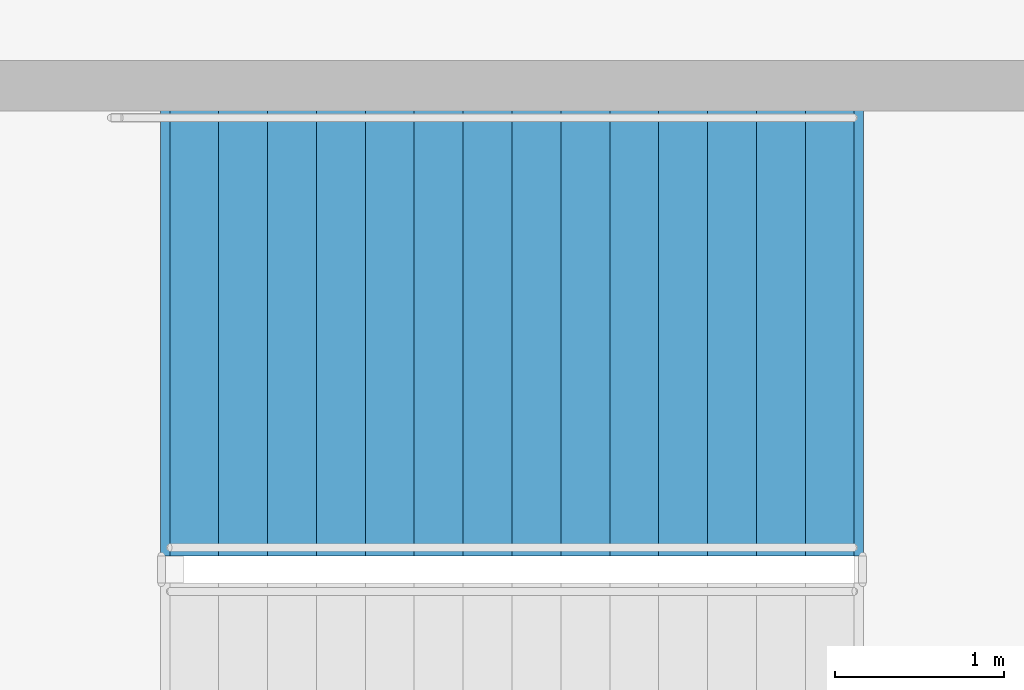
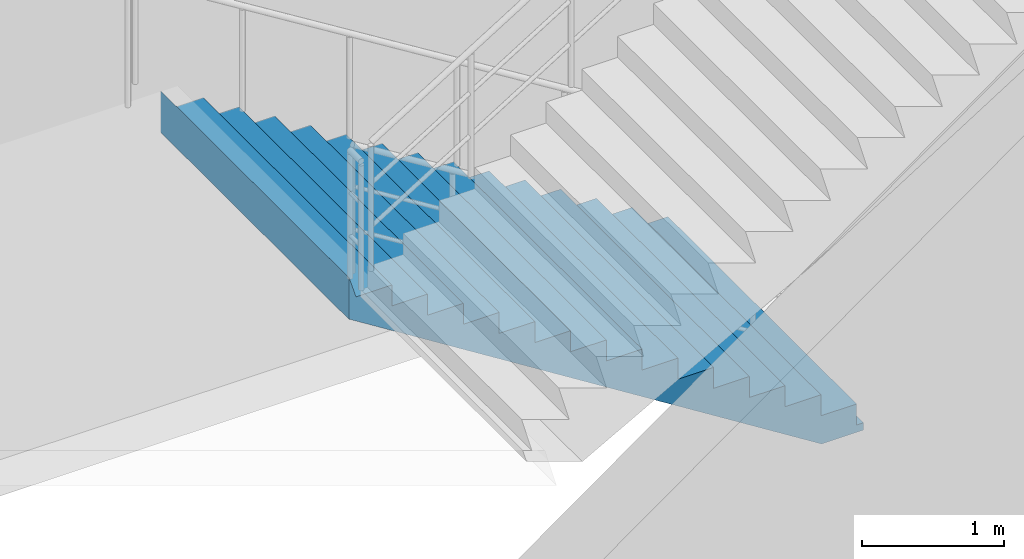
# One storey, part 65 of 93: 1 stair flight, 1 element without a shape of its own.
"""IFC4 building model written with IfcOpenShell, lengths in metres."""

from ifc_helpers import new_model, si_unit, direction, frame, origin, place, context, subcontext, project, spatial, polyline, outline, extrude, material, type_object, element, aggregate, save


model = new_model("IFC4")

# Units and contexts
model_context = context("Model", 3, precision=1e-05, world=origin(), true_north=direction((0.0, 1.0)))
body_context = subcontext(model_context, "Body", "Model", "MODEL_VIEW")
ifc_project = project(units=[si_unit("LENGTHUNIT", "METRE"), si_unit("AREAUNIT", "SQUARE_METRE"), si_unit("VOLUMEUNIT", "CUBIC_METRE"), si_unit("PLANEANGLEUNIT", "RADIAN"), si_unit("MASSUNIT", "GRAM", prefix="KILO")], contexts=[model_context])

# Site, building, storey
site_placement = place(None, origin())
site = spatial("IfcSite", under=ifc_project, at=site_placement, CompositionType="ELEMENT")
building_placement = place(site_placement, origin())
building = spatial("IfcBuilding", under=site, at=building_placement, Name="Cinderbank Siding Concert Hall", CompositionType="ELEMENT")
storey_placement = place(building_placement, origin())
storey = spatial("IfcBuildingStorey", under=building, at=storey_placement, Name="L01", CompositionType="ELEMENT", Elevation=0.0)

# Stair, stair flight
ifc_material = material(Name="Reinforced concrete AS 3600 N50 (50 MPa)", Category="concrete")
stair_type = type_object("IfcStairType", Name="STR-A Dogleg Exit Stair 2650mm", PredefinedType="HALF_TURN_STAIR", material=ifc_material)
stair_placement = place(storey_placement, origin())
stair = element("IfcStair", 1, at=stair_placement, inside=storey, type_object=stair_type, Name="L01 Chamber Pavilion Exit Stair ST-06", PredefinedType="HALF_TURN_STAIR")
stair_flight_type = type_object("IfcStairFlightType", Name="SFL-A Concrete Stair Flight 2650mm", PredefinedType="STRAIGHT", material=ifc_material)
stair_flight_placement = place(storey_placement, frame((16.75, 32.93505859375, 0.0), z_axis=(0.0, 0.0, 1.0), x_axis=(-1.0, 0.0, 0.0)))
stair_flight = element("IfcStairFlight", 2, at=stair_flight_placement, type_object=stair_flight_type, Name="ST-06 flight 1", NumberOfRisers=15, NumberOfTreads=14, PredefinedType="STRAIGHT", RiserHeight=0.18, TreadLength=0.29, context=body_context, shape_type="SweptSolid", body=[
    extrude(outline(polyline([(0.0, 0.0), (0.0, 0.179931640625), (0.2900390625, 0.179931640625), (0.2900390625, 0.360107421875), (0.580078125, 0.360107421875), (0.580078125, 0.5400390625), (0.8701171875, 0.5400390625), (0.8701171875, 0.719970703125), (1.159912109375, 0.719970703125), (1.159912109375, 0.89990234375), (1.449951171875, 0.89990234375), (1.449951171875, 1.080078125), (1.739990234375, 1.080078125), (1.739990234375, 1.260009765625), (2.030029296875, 1.260009765625), (2.030029296875, 1.43994140625), (2.320068359375, 1.43994140625), (2.320068359375, 1.6201171875), (2.610107421875, 1.6201171875), (2.610107421875, 1.800048828125), (2.89990234375, 1.800048828125), (2.89990234375, 1.97998046875), (3.18994140625, 1.97998046875), (3.18994140625, 2.159912109375), (3.47998046875, 2.159912109375), (3.47998046875, 2.340087890625), (3.77001953125, 2.340087890625), (3.77001953125, 2.52001953125), (4.06005859375, 2.52001953125), (4.114990234375, 2.699951171875), (4.114990234375, 2.343505859375), (4.11474609375, 2.34375), (4.11474609375, 2.343994140625), (4.11474609375, 2.34423828125), (4.11474609375, 2.344482421875), (4.11474609375, 2.3447265625), (4.11474609375, 2.344970703125), (4.11474609375, 2.34521484375), (4.11474609375, 2.345458984375), (4.11474609375, 2.345703125), (4.11474609375, 2.345947265625), (4.11474609375, 2.34619140625), (4.11474609375, 2.346435546875), (4.114501953125, 2.346435546875), (4.114501953125, 2.34619140625), (4.114501953125, 2.345947265625), (4.114501953125, 2.345703125), (4.114501953125, 2.345458984375), (4.114501953125, 2.34521484375), (4.114501953125, 2.344970703125), (4.114501953125, 2.3447265625), (4.114501953125, 2.344482421875), (4.114501953125, 2.34423828125), (4.114501953125, 2.343994140625), (4.114501953125, 2.34375), (4.114501953125, 2.343505859375), (4.1142578125, 2.34375), (4.1142578125, 2.343994140625), (4.1142578125, 2.34423828125), (4.1142578125, 2.344482421875), (4.1142578125, 2.3447265625), (4.1142578125, 2.344970703125), (4.1142578125, 2.34521484375), (4.1142578125, 2.345458984375), (4.1142578125, 2.345703125), (4.1142578125, 2.345947265625), (4.1142578125, 2.34619140625), (4.1142578125, 2.346435546875), (4.114013671875, 2.346435546875), (4.114013671875, 2.34619140625), (4.114013671875, 2.345947265625), (4.114013671875, 2.345703125), (4.114013671875, 2.345458984375), (4.114013671875, 2.34521484375), (4.114013671875, 2.344970703125), (4.114013671875, 2.3447265625), (4.114013671875, 2.344482421875), (4.114013671875, 2.34423828125), (4.114013671875, 2.343994140625), (4.114013671875, 2.34375), (4.114013671875, 2.343505859375), (4.11376953125, 2.34375), (4.11376953125, 2.343994140625), (4.11376953125, 2.34423828125), (4.11376953125, 2.344482421875), (4.11376953125, 2.3447265625), (4.11376953125, 2.344970703125), (4.11376953125, 2.34521484375), (4.11376953125, 2.345458984375), (4.11376953125, 2.345703125), (4.11376953125, 2.345947265625), (4.11376953125, 2.34619140625), (4.11376953125, 2.346435546875), (4.113525390625, 2.346435546875), (4.113525390625, 2.34619140625), (4.113525390625, 2.345947265625), (4.113525390625, 2.345703125), (4.113525390625, 2.345458984375), (4.113525390625, 2.34521484375), (4.113525390625, 2.344970703125), (4.113525390625, 2.3447265625), (4.113525390625, 2.344482421875), (4.113525390625, 2.34423828125), (4.113525390625, 2.343994140625), (4.113525390625, 2.34375), (4.113525390625, 2.343505859375), (4.11328125, 2.34375), (4.11328125, 2.343994140625), (4.11328125, 2.34423828125), (4.11328125, 2.344482421875), (4.11328125, 2.3447265625), (4.11328125, 2.344970703125), (4.11328125, 2.34521484375), (4.11328125, 2.345458984375), (4.11328125, 2.345703125), (4.11328125, 2.345947265625), (4.11328125, 2.34619140625), (4.11328125, 2.346435546875), (4.113037109375, 2.346435546875), (4.113037109375, 2.34619140625), (4.113037109375, 2.345947265625), (4.113037109375, 2.345703125), (4.113037109375, 2.345458984375), (4.113037109375, 2.34521484375), (4.113037109375, 2.344970703125), (4.113037109375, 2.3447265625), (4.113037109375, 2.344482421875), (4.113037109375, 2.34423828125), (4.113037109375, 2.343994140625), (4.113037109375, 2.34375), (4.113037109375, 2.343505859375), (4.11279296875, 2.34375), (4.11279296875, 2.343994140625), (4.11279296875, 2.34423828125), (4.11279296875, 2.344482421875), (4.11279296875, 2.3447265625), (4.11279296875, 2.344970703125), (4.11279296875, 2.34521484375), (4.11279296875, 2.345458984375), (4.11279296875, 2.345703125), (4.11279296875, 2.345947265625), (4.11279296875, 2.34619140625), (4.11279296875, 2.346435546875), (4.112548828125, 2.346435546875), (4.112548828125, 2.34619140625), (4.112548828125, 2.345947265625), (4.112548828125, 2.345703125), (4.112548828125, 2.345458984375), (4.112548828125, 2.34521484375), (4.112548828125, 2.344970703125), (4.112548828125, 2.3447265625), (4.112548828125, 2.344482421875), (4.112548828125, 2.34423828125), (4.112548828125, 2.343994140625), (4.112548828125, 2.34375), (4.112548828125, 2.343505859375), (4.1123046875, 2.34375), (4.1123046875, 2.343994140625), (4.1123046875, 2.34423828125), (4.1123046875, 2.344482421875), (4.1123046875, 2.3447265625), (4.1123046875, 2.344970703125), (4.1123046875, 2.34521484375), (4.1123046875, 2.345458984375), (4.1123046875, 2.345703125), (4.1123046875, 2.345947265625), (4.1123046875, 2.34619140625), (4.1123046875, 2.346435546875), (4.112060546875, 2.346435546875), (4.112060546875, 2.34619140625), (4.112060546875, 2.345947265625), (4.112060546875, 2.345703125), (4.112060546875, 2.345458984375), (4.112060546875, 2.34521484375), (4.112060546875, 2.344970703125), (4.112060546875, 2.3447265625), (4.112060546875, 2.344482421875), (4.112060546875, 2.34423828125), (4.112060546875, 2.343994140625), (4.112060546875, 2.34375), (4.112060546875, 2.343505859375), (4.11181640625, 2.34375), (4.11181640625, 2.343994140625), (4.11181640625, 2.34423828125), (4.11181640625, 2.344482421875), (4.11181640625, 2.3447265625), (4.11181640625, 2.344970703125), (4.11181640625, 2.34521484375), (4.11181640625, 2.345458984375), (4.11181640625, 2.345703125), (4.11181640625, 2.345947265625), (4.11181640625, 2.34619140625), (4.11181640625, 2.346435546875), (4.111572265625, 2.346435546875), (4.111572265625, 2.34619140625), (4.111572265625, 2.345947265625), (4.111572265625, 2.345703125), (4.111572265625, 2.345458984375), (4.111572265625, 2.34521484375), (4.111572265625, 2.344970703125), (4.111572265625, 2.3447265625), (4.111572265625, 2.344482421875), (4.111572265625, 2.34423828125), (4.111572265625, 2.343994140625), (4.111572265625, 2.34375), (4.111572265625, 2.343505859375), (4.111328125, 2.34375), (4.111328125, 2.343994140625), (4.111328125, 2.34423828125), (4.111328125, 2.344482421875), (4.111328125, 2.3447265625), (4.111328125, 2.344970703125), (4.111328125, 2.34521484375), (4.111328125, 2.345458984375), (4.111328125, 2.345703125), (4.111328125, 2.345947265625), (4.111328125, 2.34619140625), (4.111328125, 2.346435546875), (4.111083984375, 2.346435546875), (4.111083984375, 2.34619140625), (4.111083984375, 2.345947265625), (4.111083984375, 2.345703125), (4.111083984375, 2.345458984375), (4.111083984375, 2.34521484375), (4.111083984375, 2.344970703125), (4.111083984375, 2.3447265625), (4.111083984375, 2.344482421875), (4.111083984375, 2.34423828125), (4.111083984375, 2.343994140625), (4.111083984375, 2.34375), (4.111083984375, 2.343505859375), (4.11083984375, 2.34375), (4.11083984375, 2.343994140625), (4.11083984375, 2.34423828125), (4.11083984375, 2.344482421875), (4.11083984375, 2.3447265625), (4.11083984375, 2.344970703125), (4.11083984375, 2.34521484375), (4.11083984375, 2.345458984375), (4.11083984375, 2.345703125), (4.11083984375, 2.345947265625), (4.11083984375, 2.34619140625), (4.11083984375, 2.346435546875), (4.110595703125, 2.346435546875), (4.110595703125, 2.34619140625), (4.110595703125, 2.345947265625), (4.110595703125, 2.345703125), (4.110595703125, 2.345458984375), (4.110595703125, 2.34521484375), (4.110595703125, 2.344970703125), (4.110595703125, 2.3447265625), (4.110595703125, 2.344482421875), (4.110595703125, 2.34423828125), (4.110595703125, 2.343994140625), (4.110595703125, 2.34375), (4.110595703125, 2.343505859375), (4.1103515625, 2.34375), (4.1103515625, 2.343994140625), (4.1103515625, 2.34423828125), (4.1103515625, 2.344482421875), (4.1103515625, 2.3447265625), (4.1103515625, 2.344970703125), (4.1103515625, 2.34521484375), (4.1103515625, 2.345458984375), (4.1103515625, 2.345703125), (4.1103515625, 2.345947265625), (4.1103515625, 2.34619140625), (4.1103515625, 2.346435546875), (4.110107421875, 2.346435546875), (4.110107421875, 2.34619140625), (4.110107421875, 2.345947265625), (4.110107421875, 2.345703125), (4.110107421875, 2.345458984375), (4.110107421875, 2.34521484375), (4.110107421875, 2.344970703125), (4.110107421875, 2.3447265625), (4.110107421875, 2.344482421875), (4.110107421875, 2.34423828125), (4.110107421875, 2.343994140625), (4.110107421875, 2.34375), (4.110107421875, 2.343505859375), (4.10986328125, 2.34375), (4.10986328125, 2.343994140625), (4.10986328125, 2.34423828125), (4.10986328125, 2.344482421875), (4.10986328125, 2.3447265625), (4.10986328125, 2.344970703125), (4.10986328125, 2.34521484375), (4.10986328125, 2.345458984375), (4.10986328125, 2.345703125), (4.10986328125, 2.345947265625), (4.10986328125, 2.34619140625), (4.10986328125, 2.346435546875), (4.109619140625, 2.346435546875), (4.109619140625, 2.34619140625), (4.109619140625, 2.345947265625), (4.109619140625, 2.345703125), (4.109619140625, 2.345458984375), (4.109619140625, 2.34521484375), (4.109619140625, 2.344970703125), (4.109619140625, 2.3447265625), (4.109619140625, 2.344482421875), (4.109619140625, 2.34423828125), (4.109619140625, 2.343994140625), (4.109619140625, 2.34375), (4.109619140625, 2.343505859375), (4.109375, 2.34375), (4.109375, 2.343994140625), (4.109375, 2.34423828125), (4.109375, 2.344482421875), (4.109375, 2.3447265625), (4.109375, 2.344970703125), (4.109375, 2.34521484375), (4.109375, 2.345458984375), (4.109375, 2.345703125), (4.109375, 2.345947265625), (4.109375, 2.34619140625), (4.109375, 2.346435546875), (4.109130859375, 2.346435546875), (4.109130859375, 2.34619140625), (4.109130859375, 2.345947265625), (4.109130859375, 2.345703125), (4.109130859375, 2.345458984375), (4.109130859375, 2.34521484375), (4.109130859375, 2.344970703125), (4.109130859375, 2.3447265625), (4.109130859375, 2.344482421875), (4.109130859375, 2.34423828125), (4.109130859375, 2.343994140625), (4.109130859375, 2.34375), (4.109130859375, 2.343505859375), (4.10888671875, 2.34375), (4.10888671875, 2.343994140625), (4.10888671875, 2.34423828125), (4.10888671875, 2.344482421875), (4.10888671875, 2.3447265625), (4.10888671875, 2.344970703125), (4.10888671875, 2.34521484375), (4.10888671875, 2.345458984375), (4.10888671875, 2.345703125), (4.10888671875, 2.345947265625), (4.10888671875, 2.34619140625), (4.10888671875, 2.346435546875), (4.108642578125, 2.346435546875), (4.108642578125, 2.34619140625), (4.108642578125, 2.345947265625), (4.108642578125, 2.345703125), (4.108642578125, 2.345458984375), (4.108642578125, 2.34521484375), (4.108642578125, 2.344970703125), (4.108642578125, 2.3447265625), (4.108642578125, 2.344482421875), (4.108642578125, 2.34423828125), (4.108642578125, 2.343994140625), (4.108642578125, 2.34375), (4.108642578125, 2.343505859375), (0.2841796875, -0.06396484375), (-0.048583984375, -0.063720703125), (-0.048583984375, -0.0634765625), (-0.048583984375, -0.063232421875), (-0.048583984375, -0.06298828125), (-0.048583984375, -0.062744140625), (-0.048583984375, -0.0625), (-0.048583984375, -0.062255859375), (-0.048583984375, -0.06201171875), (-0.048583984375, -0.061767578125), (-0.048583984375, -0.0615234375), (-0.048583984375, -0.061279296875), (-0.048583984375, -0.06103515625), (-0.048828125, -0.06103515625), (-0.048828125, -0.061279296875), (-0.048828125, -0.0615234375), (-0.048828125, -0.061767578125), (-0.048828125, -0.06201171875), (-0.048828125, -0.062255859375), (-0.048828125, -0.0625), (-0.048828125, -0.062744140625), (-0.048828125, -0.06298828125), (-0.048828125, -0.063232421875), (-0.048828125, -0.0634765625), (-0.048828125, -0.063720703125), (-0.048828125, -0.06396484375), (-0.049072265625, -0.063720703125), (-0.049072265625, -0.0634765625), (-0.049072265625, -0.063232421875), (-0.049072265625, -0.06298828125), (-0.049072265625, -0.062744140625), (-0.049072265625, -0.0625), (-0.049072265625, -0.062255859375), (-0.049072265625, -0.06201171875), (-0.049072265625, -0.061767578125), (-0.049072265625, -0.0615234375), (-0.049072265625, -0.061279296875), (-0.049072265625, -0.06103515625), (-0.04931640625, -0.06103515625), (-0.04931640625, -0.061279296875), (-0.04931640625, -0.0615234375), (-0.04931640625, -0.061767578125), (-0.04931640625, -0.06201171875), (-0.04931640625, -0.062255859375), (-0.04931640625, -0.0625), (-0.04931640625, -0.062744140625), (-0.04931640625, -0.06298828125), (-0.04931640625, -0.063232421875), (-0.04931640625, -0.0634765625), (-0.04931640625, -0.063720703125), (-0.04931640625, -0.06396484375), (-0.049560546875, -0.063720703125), (-0.049560546875, -0.0634765625), (-0.049560546875, -0.063232421875), (-0.049560546875, -0.06298828125), (-0.049560546875, -0.062744140625), (-0.049560546875, -0.0625), (-0.049560546875, -0.062255859375), (-0.049560546875, -0.06201171875), (-0.049560546875, -0.061767578125), (-0.049560546875, -0.0615234375), (-0.049560546875, -0.061279296875), (-0.049560546875, -0.06103515625), (-0.0498046875, -0.06103515625), (-0.0498046875, -0.061279296875), (-0.0498046875, -0.0615234375), (-0.0498046875, -0.061767578125), (-0.0498046875, -0.06201171875), (-0.0498046875, -0.062255859375), (-0.0498046875, -0.0625), (-0.0498046875, -0.062744140625), (-0.0498046875, -0.06298828125), (-0.0498046875, -0.063232421875), (-0.0498046875, -0.0634765625), (-0.0498046875, -0.063720703125), (-0.0498046875, -0.06396484375), (-0.050048828125, -0.063720703125), (-0.050048828125, -0.0634765625), (-0.050048828125, -0.063232421875), (-0.050048828125, -0.06298828125), (-0.050048828125, -0.062744140625), (-0.050048828125, -0.0625), (-0.050048828125, -0.062255859375), (-0.050048828125, -0.06201171875), (-0.050048828125, -0.061767578125), (-0.050048828125, -0.0615234375), (-0.050048828125, -0.061279296875), (-0.050048828125, -0.06103515625), (-0.05029296875, -0.06103515625), (-0.05029296875, -0.061279296875), (-0.05029296875, -0.0615234375), (-0.05029296875, -0.061767578125), (-0.05029296875, -0.06201171875), (-0.05029296875, -0.062255859375), (-0.05029296875, -0.0625), (-0.05029296875, -0.062744140625), (-0.05029296875, -0.06298828125), (-0.05029296875, -0.063232421875), (-0.05029296875, -0.0634765625), (-0.05029296875, -0.063720703125), (-0.05029296875, -0.06396484375), (-0.050537109375, -0.063720703125), (-0.050537109375, -0.0634765625), (-0.050537109375, -0.063232421875), (-0.050537109375, -0.06298828125), (-0.050537109375, -0.062744140625), (-0.050537109375, -0.0625), (-0.050537109375, -0.062255859375), (-0.050537109375, -0.06201171875), (-0.050537109375, -0.061767578125), (-0.050537109375, -0.0615234375), (-0.050537109375, -0.061279296875), (-0.050537109375, -0.06103515625), (-0.05078125, -0.06103515625), (-0.05078125, -0.061279296875), (-0.05078125, -0.0615234375), (-0.05078125, -0.061767578125), (-0.05078125, -0.06201171875), (-0.05078125, -0.062255859375), (-0.05078125, -0.0625), (-0.05078125, -0.062744140625), (-0.05078125, -0.06298828125), (-0.05078125, -0.063232421875), (-0.05078125, -0.0634765625), (-0.05078125, -0.063720703125), (-0.05078125, -0.06396484375), (-0.051025390625, -0.063720703125), (-0.051025390625, -0.0634765625), (-0.051025390625, -0.063232421875), (-0.051025390625, -0.06298828125), (-0.051025390625, -0.062744140625), (-0.051025390625, -0.0625), (-0.051025390625, -0.062255859375), (-0.051025390625, -0.06201171875), (-0.051025390625, -0.061767578125), (-0.051025390625, -0.0615234375), (-0.051025390625, -0.061279296875), (-0.051025390625, -0.06103515625), (-0.05126953125, -0.06103515625), (-0.05126953125, -0.061279296875), (-0.05126953125, -0.0615234375), (-0.05126953125, -0.061767578125), (-0.05126953125, -0.06201171875), (-0.05126953125, -0.062255859375), (-0.05126953125, -0.0625), (-0.05126953125, -0.062744140625), (-0.05126953125, -0.06298828125), (-0.05126953125, -0.063232421875), (-0.05126953125, -0.0634765625), (-0.05126953125, -0.063720703125), (-0.05126953125, -0.06396484375), (-0.051513671875, -0.063720703125), (-0.051513671875, -0.0634765625), (-0.051513671875, -0.063232421875), (-0.051513671875, -0.06298828125), (-0.051513671875, -0.062744140625), (-0.051513671875, -0.0625), (-0.051513671875, -0.062255859375), (-0.051513671875, -0.06201171875), (-0.051513671875, -0.061767578125), (-0.051513671875, -0.0615234375), (-0.051513671875, -0.061279296875), (-0.051513671875, -0.06103515625), (-0.0517578125, -0.06103515625), (-0.0517578125, -0.061279296875), (-0.0517578125, -0.0615234375), (-0.0517578125, -0.061767578125), (-0.0517578125, -0.06201171875), (-0.0517578125, -0.062255859375), (-0.0517578125, -0.0625), (-0.0517578125, -0.062744140625), (-0.0517578125, -0.06298828125), (-0.0517578125, -0.063232421875), (-0.0517578125, -0.0634765625), (-0.0517578125, -0.063720703125), (-0.0517578125, -0.06396484375), (-0.052001953125, -0.063720703125), (-0.052001953125, -0.0634765625), (-0.052001953125, -0.063232421875), (-0.052001953125, -0.06298828125), (-0.052001953125, -0.062744140625), (-0.052001953125, -0.0625), (-0.052001953125, -0.062255859375), (-0.052001953125, -0.06201171875), (-0.052001953125, -0.061767578125), (-0.052001953125, -0.0615234375), (-0.052001953125, -0.061279296875), (-0.052001953125, -0.06103515625), (-0.05224609375, -0.06103515625), (-0.05224609375, -0.061279296875), (-0.05224609375, -0.0615234375), (-0.05224609375, -0.061767578125), (-0.05224609375, -0.06201171875), (-0.05224609375, -0.062255859375), (-0.05224609375, -0.0625), (-0.05224609375, -0.062744140625), (-0.05224609375, -0.06298828125), (-0.05224609375, -0.063232421875), (-0.05224609375, -0.0634765625), (-0.05224609375, -0.063720703125), (-0.05224609375, -0.06396484375), (-0.052490234375, -0.063720703125), (-0.052490234375, -0.0634765625), (-0.052490234375, -0.063232421875), (-0.052490234375, -0.06298828125), (-0.052490234375, -0.062744140625), (-0.052490234375, -0.0625), (-0.052490234375, -0.062255859375), (-0.052490234375, -0.06201171875), (-0.052490234375, -0.061767578125), (-0.052490234375, -0.0615234375), (-0.052490234375, -0.061279296875), (-0.052490234375, -0.06103515625), (-0.052734375, -0.06103515625), (-0.052734375, -0.061279296875), (-0.052734375, -0.0615234375), (-0.052734375, -0.061767578125), (-0.052734375, -0.06201171875), (-0.052734375, -0.062255859375), (-0.052734375, -0.0625), (-0.052734375, -0.062744140625), (-0.052734375, -0.06298828125), (-0.052734375, -0.063232421875), (-0.052734375, -0.0634765625), (-0.052734375, -0.063720703125), (-0.052734375, -0.06396484375), (-0.052978515625, -0.063720703125), (-0.052978515625, -0.0634765625), (-0.052978515625, -0.063232421875), (-0.052978515625, -0.06298828125), (-0.052978515625, -0.062744140625), (-0.052978515625, -0.0625), (-0.052978515625, -0.062255859375), (-0.052978515625, -0.06201171875), (-0.052978515625, -0.061767578125), (-0.052978515625, -0.0615234375), (-0.052978515625, -0.061279296875), (-0.052978515625, -0.06103515625), (-0.05322265625, -0.06103515625), (-0.05322265625, -0.061279296875), (-0.05322265625, -0.0615234375), (-0.05322265625, -0.061767578125), (-0.05322265625, -0.06201171875), (-0.05322265625, -0.062255859375), (-0.05322265625, -0.0625), (-0.05322265625, -0.062744140625), (-0.05322265625, -0.06298828125), (-0.05322265625, -0.063232421875), (-0.05322265625, -0.0634765625), (-0.05322265625, -0.063720703125), (-0.05322265625, -0.06396484375), (-0.053466796875, -0.063720703125), (-0.053466796875, -0.0634765625), (-0.053466796875, -0.063232421875), (-0.053466796875, -0.06298828125), (-0.053466796875, -0.062744140625), (-0.053466796875, -0.0625), (-0.053466796875, -0.062255859375), (-0.053466796875, -0.06201171875), (-0.053466796875, -0.061767578125), (-0.053466796875, -0.0615234375), (-0.053466796875, -0.061279296875), (-0.053466796875, -0.06103515625), (-0.0537109375, -0.06103515625), (-0.0537109375, -0.061279296875), (-0.0537109375, -0.0615234375), (-0.0537109375, -0.061767578125), (-0.0537109375, -0.06201171875), (-0.0537109375, -0.062255859375), (-0.0537109375, -0.0625), (-0.0537109375, -0.062744140625), (-0.0537109375, -0.06298828125), (-0.0537109375, -0.063232421875), (-0.0537109375, -0.0634765625), (-0.0537109375, -0.063720703125), (-0.0537109375, -0.06396484375), (-0.053955078125, -0.063720703125), (-0.053955078125, -0.0634765625), (-0.053955078125, -0.063232421875), (-0.053955078125, -0.06298828125), (-0.053955078125, -0.062744140625), (-0.053955078125, -0.0625), (-0.053955078125, -0.062255859375), (-0.053955078125, -0.06201171875), (-0.053955078125, -0.061767578125), (-0.053955078125, -0.0615234375), (-0.053955078125, -0.061279296875), (-0.053955078125, -0.06103515625), (-0.05419921875, -0.06103515625), (-0.05419921875, -0.061279296875), (-0.05419921875, -0.0615234375), (-0.05419921875, -0.061767578125), (-0.05419921875, -0.06201171875), (-0.05419921875, -0.062255859375), (-0.05419921875, -0.0625), (-0.05419921875, -0.062744140625), (-0.05419921875, -0.06298828125), (-0.05419921875, -0.063232421875), (-0.05419921875, -0.0634765625), (-0.05419921875, -0.063720703125), (-0.05419921875, -0.06396484375), (-0.054443359375, -0.063720703125), (-0.054443359375, -0.0634765625), (-0.054443359375, -0.063232421875), (-0.054443359375, -0.06298828125), (-0.054443359375, -0.062744140625), (-0.054443359375, -0.0625), (-0.054443359375, -0.062255859375), (-0.054443359375, -0.06201171875), (-0.054443359375, -0.061767578125), (-0.054443359375, -0.0615234375), (-0.054443359375, -0.061279296875), (-0.054443359375, -0.06103515625), (-0.0546875, -0.06103515625), (-0.0546875, -0.061279296875), (-0.0546875, -0.0615234375), (-0.0546875, -0.061767578125), (-0.0546875, -0.06201171875), (-0.0546875, -0.062255859375), (-0.0546875, -0.0625), (-0.0546875, -0.062744140625), (-0.0546875, -0.06298828125), (-0.0546875, -0.063232421875), (-0.0546875, -0.0634765625), (-0.0546875, -0.063720703125), (-0.0546875, -0.06396484375), (-0.054931640625, -0.06396484375), (-0.054931640625, 0.0), (0.0, 0.0)])), frame((0.0, 1.324951171875, 0.0), z_axis=(0.0, -1.0, 0.0), x_axis=(1.0, 0.0, 0.0)), (0.0, 0.0, 1.0), 2.64990234375),
])
aggregate(stair, [stair_flight])

save(model, "model.ifc")
